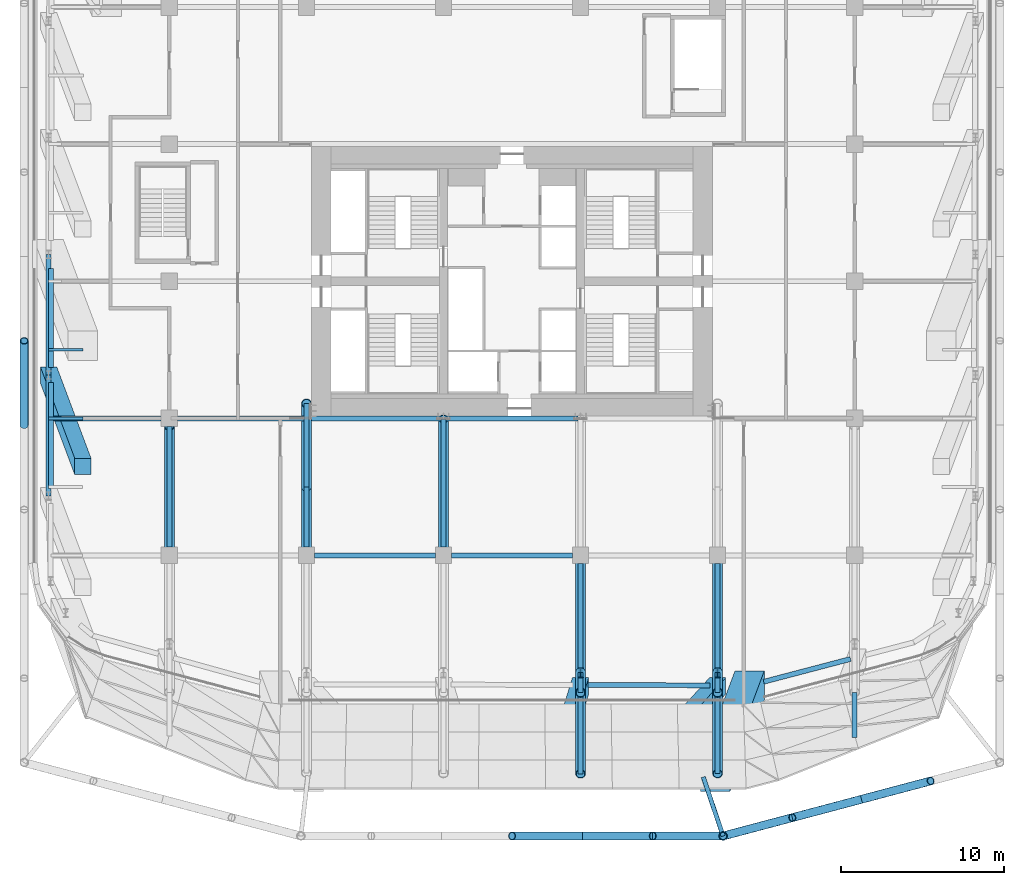
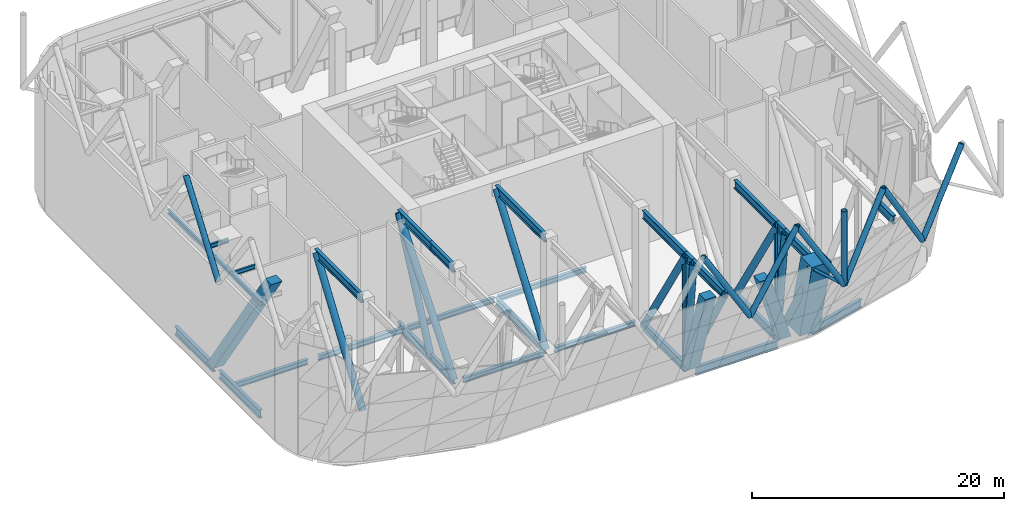
# One storey, part 4 of 19: 40 beams, 15 members.
"""IFC4 building model written with IfcOpenShell, lengths in metres."""

from ifc_helpers import new_model, si_unit, direction, frame, origin, origin_2d, place, context, subcontext, project, spatial, rectangle, hollow_circle, i_section, extrude, material, material_profile, profile_set, type_object, element, save


model = new_model("IFC4")

# Units and contexts
model_context = context("Model", 3, precision=1e-05, world=origin(), true_north=direction((0.0, 1.0)))
body_context = subcontext(model_context, "Body", "Model", "MODEL_VIEW")
ifc_project = project(units=[si_unit("LENGTHUNIT", "METRE"), si_unit("AREAUNIT", "SQUARE_METRE"), si_unit("VOLUMEUNIT", "CUBIC_METRE"), si_unit("PLANEANGLEUNIT", "RADIAN"), si_unit("MASSUNIT", "GRAM", prefix="KILO")], contexts=[model_context])

# Site, building, storey
site_placement = place(None, origin())
site = spatial("IfcSite", under=ifc_project, at=site_placement, CompositionType="ELEMENT")
building_placement = place(site_placement, origin())
building = spatial("IfcBuilding", under=site, at=building_placement, Name="Marenta Gate Hotel Tower", CompositionType="ELEMENT")
storey_placement = place(building_placement, frame((0.0, 0.0, 86.89990234375)))
storey = spatial("IfcBuildingStorey", under=building, at=storey_placement, Name="L20", CompositionType="ELEMENT", Elevation=86.89990234375)

# Members
ifc_material_1 = material(Name="Steel S355J2W", Category="steel")
ifc_material_profile_1 = material_profile(ifc_material_1, hollow_circle(Radius=0.25390625, WallThickness=0.02490234375, at=origin_2d()), Name="CHS 508x25")
ifc_profile_set_1 = profile_set([ifc_material_profile_1], Name="Steel S355J2W")
member_type_1 = type_object("IfcMemberType", Name="Diagrid corner post Z2 CHS 508x25", PredefinedType="POST", material=ifc_profile_set_1)
member_1_placement = place(storey_placement, frame((12.93896484375, -25.60009765625, 10.340087890625), z_axis=(0.0, 0.0, 1.0), x_axis=(1.0, 0.0, 0.0)))
element("IfcMember", 1, at=member_1_placement, inside=storey, type_object=member_type_1, Name="L20-DR-3", PredefinedType="POST", context=body_context, shape_type="SweptSolid", body=[
    extrude(hollow_circle(Radius=0.25390625, WallThickness=0.02490234375, at=origin_2d()), origin(), (0.0, 0.0, 1.0), 7.199951171875),
])
ifc_material_2 = material(Name="Steel S355J2W", Category="steel")
ifc_material_profile_2 = material_profile(ifc_material_2, hollow_circle(Radius=0.25390625, WallThickness=0.0400390625, at=origin_2d()), Name="CHS 508x40")
ifc_profile_set_2 = profile_set([ifc_material_profile_2], Name="Steel S355J2W")
member_type_2 = type_object("IfcMemberType", Name="Diagrid diagonal Z2 CHS 508x40", PredefinedType="BRACE", material=ifc_profile_set_2)
member_2_placement = place(storey_placement, frame((21.41943359375, -23.35009765625, 10.340087890625), z_axis=(0.502945650976, 0.133431605717, 0.853956485285), x_axis=(-0.256429393985, 0.966562965306, 0.0)))
element("IfcMember", 2, at=member_2_placement, inside=storey, type_object=member_type_2, Name="L20-DG-12", PredefinedType="BRACE", context=body_context, shape_type="SweptSolid", body=[
    extrude(hollow_circle(Radius=0.25390625, WallThickness=0.0400390625, at=origin_2d()), origin(), (0.0, 0.0, 1.0), 8.431396484375),
])
for number, where, z_axis, x_axis, name in (
    (3, (21.41943359375, -23.35009765625, 10.340087890625), (-0.502924018666, -0.133433548941, 0.853968921838), (0.256443187528, -0.96655930577, 0.0), "L20-DG-13"),
    (4, (12.93896484375, -25.60009765625, 10.340087890625), (0.502924018666, 0.133433548941, 0.853968921838), (-0.256443187528, 0.96655930577, 0.0), "L20-DG-14"),
):
    element("IfcMember", number, at=place(storey_placement, frame(where, z_axis=z_axis, x_axis=x_axis)), inside=storey, type_object=member_type_2, Name=name, PredefinedType="BRACE", context=body_context, shape_type="SweptSolid", body=[
        extrude(hollow_circle(Radius=0.25390625, WallThickness=0.0400390625, at=origin_2d()), origin(), (0.0, 0.0, 1.0), 8.43115234375),
    ])
for number, where, z_axis, x_axis, name in (
    (5, (12.93896484375, -25.60009765625, 10.340087890625), (-0.513883902774, 0.0, 0.857859740558), (0.0, -1.0, 0.0), "L20-DG-15"),
    (6, (4.31298828125, -25.60009765625, 10.340087890625), (0.513883902774, 0.0, 0.857859740558), (0.0, 1.0, 0.0), "L20-DG-16"),
    (7, (4.31298828125, -25.60009765625, 10.340087890625), (-0.513883902774, 0.0, 0.857859740558), (0.0, -1.0, 0.0), "L20-DG-17"),
):
    element("IfcMember", number, at=place(storey_placement, frame(where, z_axis=z_axis, x_axis=x_axis)), inside=storey, type_object=member_type_2, Name=name, PredefinedType="BRACE", context=body_context, shape_type="SweptSolid", body=[
        extrude(hollow_circle(Radius=0.25390625, WallThickness=0.0400390625, at=origin_2d()), origin(), (0.0, 0.0, 1.0), 8.392822265625),
    ])
member_3_placement = place(storey_placement, frame((-29.89990234375, -0.420166015625, 10.340087890625), z_axis=(0.0, 0.583279014058, 0.812271870595), x_axis=(-1.0, 0.0, 0.0)))
element("IfcMember", 8, at=member_3_placement, inside=storey, type_object=member_type_2, Name="L20-DG-29", PredefinedType="BRACE", context=body_context, shape_type="SweptSolid", body=[
    extrude(hollow_circle(Radius=0.25390625, WallThickness=0.0400390625, at=origin_2d()), origin(), (0.0, 0.0, 1.0), 8.864013671875),
])

# Beams
ifc_material_3 = material(Name="Steel S355", Category="steel")
ifc_material_profile_3 = material_profile(ifc_material_3, i_section(OverallWidth=0.302978515625, OverallDepth=0.81396484375, WebThickness=0.030029296875, FlangeThickness=0.052001953125, FilletRadius=0.030029296875, at=origin_2d()), Name="HEM 800")
ifc_profile_set_3 = profile_set([ifc_material_profile_3], Name="Steel S355")
beam_type_1 = type_object("IfcBeamType", Name="Edge beam HEM 800", PredefinedType="SPANDREL", material=ifc_profile_set_3)
beam_1_placement = place(storey_placement, frame((-28.267333984375, -4.2919921875, -0.706787109375), z_axis=(0.001393753119, 0.999999028726, 0.0), x_axis=(-0.999999028726, 0.001393753119, 0.0)))
element("IfcBeam", 9, at=beam_1_placement, inside=storey, type_object=beam_type_1, Name="L20-EB-6", PredefinedType="SPANDREL", context=body_context, shape_type="SweptSolid", body=[
    extrude(i_section(OverallWidth=0.302978515625, OverallDepth=0.81396484375, WebThickness=0.030029296875, FlangeThickness=0.052001953125, FilletRadius=0.030029296875, at=origin_2d()), origin(), (0.0, 0.0, 1.0), 6.481201171875),
])
beam_2_placement = place(storey_placement, frame((-28.257080078125, 3.109130859375, -0.706787109375), z_axis=(0.001405226059, 0.999999012669, 0.0), x_axis=(-0.999999012669, 0.001405226059, 0.0)))
element("IfcBeam", 10, at=beam_2_placement, inside=storey, type_object=beam_type_1, Name="L20-EB-7", PredefinedType="SPANDREL", context=body_context, shape_type="SweptSolid", body=[
    extrude(i_section(OverallWidth=0.302978515625, OverallDepth=0.81396484375, WebThickness=0.030029296875, FlangeThickness=0.052001953125, FilletRadius=0.030029296875, at=origin_2d()), origin(), (0.0, 0.0, 1.0), 6.080810546875),
])
beam_3_placement = place(storey_placement, frame((20.74560546875, -14.75048828125, -0.706787109375), z_axis=(-0.967231374294, -0.253896570638, 0.0), x_axis=(0.253896570638, -0.967231374294, 0.0)))
element("IfcBeam", 11, at=beam_3_placement, inside=storey, type_object=beam_type_1, Name="L20-EB-31", PredefinedType="SPANDREL", context=body_context, shape_type="SweptSolid", body=[
    extrude(i_section(OverallWidth=0.302978515625, OverallDepth=0.81396484375, WebThickness=0.030029296875, FlangeThickness=0.052001953125, FilletRadius=0.030029296875, at=origin_2d()), origin(), (0.0, 0.0, 1.0), 5.498291015625),
])
beam_4_placement = place(storey_placement, frame((12.139892578125, -16.365966796875, -0.706787109375), z_axis=(-0.99999624158, 0.002741683018, 0.0), x_axis=(-0.002741683018, -0.99999624158, 0.0)))
element("IfcBeam", 12, at=beam_4_placement, inside=storey, type_object=beam_type_1, Name="L20-EB-32", PredefinedType="SPANDREL", context=body_context, shape_type="SweptSolid", body=[
    extrude(i_section(OverallWidth=0.302978515625, OverallDepth=0.81396484375, WebThickness=0.030029296875, FlangeThickness=0.052001953125, FilletRadius=0.030029296875, at=origin_2d()), origin(), (0.0, 0.0, 1.0), 7.47998046875),
])

# Members
ifc_material_4 = material(Name="Concrete C80", Category="concrete")
ifc_material_profile_4 = material_profile(ifc_material_4, rectangle(XDim=1.0, YDim=1.0, at=origin_2d()), Name="1000 x 1000")
ifc_profile_set_4 = profile_set([ifc_material_profile_4], Name="Concrete C80")
member_type_3 = type_object("IfcMemberType", Name="Edge column raked 1000 x 1000 C80", PredefinedType="STRUT", material=ifc_profile_set_4)
member_4_placement = place(storey_placement, frame((-28.39990234375, 2.649169921875, 0.0), z_axis=(0.0, 0.0, 1.0), x_axis=(1.0, 0.0, 0.0)))
element("IfcMember", 13, at=member_4_placement, inside=storey, type_object=member_type_3, Name="L20-EC-SW-W-2", PredefinedType="STRUT", context=body_context, shape_type="SweptSolid", body=[
    extrude(rectangle(XDim=1.0, YDim=1.0, at=origin_2d()), origin(), (0.170090510133, -0.453614245022, 0.874816172162), 12.345458984375),
])
member_5_placement = place(storey_placement, frame((12.60009765625, -16.39990234375, 0.0), z_axis=(0.0, 0.0, 1.0), x_axis=(1.0, 0.0, 0.0)))
element("IfcMember", 14, at=member_5_placement, inside=storey, type_object=member_type_3, Name="L20-EC-SKE-SKW-1", PredefinedType="STRUT", context=body_context, shape_type="SweptSolid", body=[
    extrude(rectangle(XDim=1.0, YDim=1.0, at=origin_2d()), origin(), (-0.387912435932, -0.424276914715, 0.818237765988), 13.19921875),
])
member_6_placement = place(storey_placement, frame((4.199951171875, -16.39990234375, 0.0), z_axis=(0.0, 0.0, 1.0), x_axis=(1.0, 0.0, 0.0)))
element("IfcMember", 15, at=member_6_placement, inside=storey, type_object=member_type_3, Name="L20-EC-SKE-SKW-2", PredefinedType="STRUT", context=body_context, shape_type="SweptSolid", body=[
    extrude(rectangle(XDim=1.0, YDim=1.0, at=origin_2d()), origin(), (-0.138915860458, -0.45585865625, 0.879144623617), 12.28466796875),
])
ifc_material_5 = material(Name="Steel S355J2W", Category="steel")
ifc_material_profile_5 = material_profile(ifc_material_5, hollow_circle(Radius=0.136474609375, WallThickness=0.012451171875, at=origin_2d()), Name="CHS 273x12.5")
ifc_profile_set_5 = profile_set([ifc_material_profile_5], Name="Steel S355J2W")
member_type_4 = type_object("IfcMemberType", Name="Floor tie CHS 273x12.5", PredefinedType="STRUT", material=ifc_profile_set_5)
member_7_placement = place(storey_placement, frame((12.93896484375, -25.60009765625, 10.340087890625), z_axis=(-0.319489913878, 0.947589676458, 0.0), x_axis=(-0.947589676458, -0.319489913878, 0.0)))
element("IfcMember", 16, at=member_7_placement, inside=storey, type_object=member_type_4, Name="L20-DR-9", PredefinedType="STRUT", context=body_context, shape_type="SweptSolid", body=[
    extrude(hollow_circle(Radius=0.136474609375, WallThickness=0.012451171875, at=origin_2d()), origin(), (0.0, 0.0, 1.0), 3.814697265625),
])

# Beams
ifc_material_6 = material(Name="Steel S355", Category="steel")
ifc_material_profile_6 = material_profile(ifc_material_6, i_section(OverallWidth=0.300048828125, OverallDepth=0.5, WebThickness=0.014404296875, FlangeThickness=0.028076171875, FilletRadius=0.027099609375, at=origin_2d()), Name="HEB 500")
ifc_profile_set_6 = profile_set([ifc_material_profile_6], Name="Steel S355")
beam_type_2 = type_object("IfcBeamType", Name="Girder HEB 500", PredefinedType="BEAM", material=ifc_profile_set_6)
beam_5_placement = place(storey_placement, frame((-12.10009765625, -8.39990234375, -0.5498046875), z_axis=(1.0, 0.0, 0.0), x_axis=(0.0, 1.0, 0.0)))
element("IfcBeam", 17, at=beam_5_placement, inside=storey, type_object=beam_type_2, Name="L20-GD-3", PredefinedType="BEAM", context=body_context, shape_type="SweptSolid", body=[
    extrude(i_section(OverallWidth=0.300048828125, OverallDepth=0.5, WebThickness=0.014404296875, FlangeThickness=0.028076171875, FilletRadius=0.027099609375, at=origin_2d()), origin(), (0.0, 0.0, 1.0), 7.400146484375),
])
beam_6_placement = place(storey_placement, frame((-3.699951171875, -8.39990234375, -0.5498046875), z_axis=(1.0, 0.0, 0.0), x_axis=(0.0, 1.0, 0.0)))
element("IfcBeam", 18, at=beam_6_placement, inside=storey, type_object=beam_type_2, Name="L20-GD-4", PredefinedType="BEAM", context=body_context, shape_type="SweptSolid", body=[
    extrude(i_section(OverallWidth=0.300048828125, OverallDepth=0.5, WebThickness=0.014404296875, FlangeThickness=0.028076171875, FilletRadius=0.027099609375, at=origin_2d()), origin(), (0.0, 0.0, 1.0), 7.39990234375),
])
beam_7_placement = place(storey_placement, frame((-28.10986328125, 0.0, -0.5498046875), z_axis=(1.0, 0.0, 0.0), x_axis=(0.0, 1.0, 0.0)))
element("IfcBeam", 19, at=beam_7_placement, inside=storey, type_object=beam_type_2, Name="L20-GD-8", PredefinedType="BEAM", context=body_context, shape_type="SweptSolid", body=[
    extrude(i_section(OverallWidth=0.300048828125, OverallDepth=0.5, WebThickness=0.014404296875, FlangeThickness=0.028076171875, FilletRadius=0.027099609375, at=origin_2d()), origin(), (0.0, 0.0, 1.0), 6.60986328125),
])
beam_8_placement = place(storey_placement, frame((-20.5, 0.0, -0.5498046875), z_axis=(1.0, 0.0, 0.0), x_axis=(0.0, 1.0, 0.0)))
element("IfcBeam", 20, at=beam_8_placement, inside=storey, type_object=beam_type_2, Name="L20-GD-9", PredefinedType="BEAM", context=body_context, shape_type="SweptSolid", body=[
    extrude(i_section(OverallWidth=0.300048828125, OverallDepth=0.5, WebThickness=0.014404296875, FlangeThickness=0.028076171875, FilletRadius=0.027099609375, at=origin_2d()), origin(), (0.0, 0.0, 1.0), 7.74853515625),
])
beam_9_placement = place(storey_placement, frame((-12.300048828125, 0.0, -0.5498046875), z_axis=(1.0, 0.0, 0.0), x_axis=(0.0, 1.0, 0.0)))
element("IfcBeam", 21, at=beam_9_placement, inside=storey, type_object=beam_type_2, Name="L20-GD-10", PredefinedType="BEAM", context=body_context, shape_type="SweptSolid", body=[
    extrude(i_section(OverallWidth=0.300048828125, OverallDepth=0.5, WebThickness=0.014404296875, FlangeThickness=0.028076171875, FilletRadius=0.027099609375, at=origin_2d()), origin(), (0.0, 0.0, 1.0), 7.948486328125),
])
beam_10_placement = place(storey_placement, frame((-4.048583984375, 0.0, -0.5498046875), z_axis=(1.0, 0.0, 0.0), x_axis=(0.0, 1.0, 0.0)))
element("IfcBeam", 22, at=beam_10_placement, inside=storey, type_object=beam_type_2, Name="L20-GD-11", PredefinedType="BEAM", context=body_context, shape_type="SweptSolid", body=[
    extrude(i_section(OverallWidth=0.300048828125, OverallDepth=0.5, WebThickness=0.014404296875, FlangeThickness=0.028076171875, FilletRadius=0.027099609375, at=origin_2d()), origin(), (0.0, 0.0, 1.0), 8.09716796875),
])

# Member
ifc_material_7 = material(Name="Concrete C80", Category="concrete")
ifc_material_profile_7 = material_profile(ifc_material_7, rectangle(XDim=1.800048828125, YDim=1.800048828125, at=origin_2d()), Name="1800 x 1800")
ifc_profile_set_7 = profile_set([ifc_material_profile_7], Name="Concrete C80")
member_type_5 = type_object("IfcMemberType", Name="Mega column raked 1800 x 1800 C80", PredefinedType="STRUT", material=ifc_profile_set_7)
member_8_placement = place(storey_placement, frame((14.56640625, -16.374755859375, 0.0), z_axis=(0.0, 0.0, 1.0), x_axis=(1.0, 0.0, 0.0)))
element("IfcMember", 23, at=member_8_placement, inside=storey, type_object=member_type_5, Name="L20-MC-SKE", PredefinedType="STRUT", context=body_context, shape_type="SweptSolid", body=[
    extrude(rectangle(XDim=1.800048828125, YDim=1.800048828125, at=origin_2d()), origin(), (-0.170109713578, -0.45361271914, 0.874813229427), 12.345458984375),
])

# Beams
ifc_material_8 = material(Name="Steel S355", Category="steel")
ifc_material_profile_8 = material_profile(ifc_material_8, i_section(OverallWidth=0.302978515625, OverallDepth=0.81396484375, WebThickness=0.030029296875, FlangeThickness=0.052001953125, FilletRadius=0.030029296875, at=origin_2d()), Name="HEM 800")
ifc_profile_set_8 = profile_set([ifc_material_profile_8], Name="Steel S355")
beam_type_3 = type_object("IfcBeamType", Name="Outrigger truss chord HEM 800", PredefinedType="BEAM", material=ifc_profile_set_8)
beam_11_placement = place(storey_placement, frame((-21.0, -0.5, 10.133056640625), z_axis=(0.0, -1.0, 0.0), x_axis=(1.0, 0.0, 0.0)))
element("IfcBeam", 24, at=beam_11_placement, inside=storey, type_object=beam_type_3, Name="TC-HEM800 Outrigger truss T1-4 chord", PredefinedType="BEAM", context=body_context, shape_type="SweptSolid", body=[
    extrude(i_section(OverallWidth=0.302978515625, OverallDepth=0.81396484375, WebThickness=0.030029296875, FlangeThickness=0.052001953125, FilletRadius=0.030029296875, at=origin_2d()), origin(), (0.0, 0.0, 1.0), 7.39990234375),
])
beam_12_placement = place(storey_placement, frame((-12.60009765625, 0.89990234375, -0.706787109375), z_axis=(0.0, -1.0, 0.0), x_axis=(1.0, 0.0, 0.0)))
element("IfcBeam", 25, at=beam_12_placement, inside=storey, type_object=beam_type_3, Name="TC-HEM800 Outrigger truss T1-5 chord", PredefinedType="BEAM", context=body_context, shape_type="SweptSolid", body=[
    extrude(i_section(OverallWidth=0.302978515625, OverallDepth=0.81396484375, WebThickness=0.030029296875, FlangeThickness=0.052001953125, FilletRadius=0.030029296875, at=origin_2d()), origin(), (0.0, 0.0, 1.0), 5.099853515625),
])
beam_13_placement = place(storey_placement, frame((-12.60009765625, -4.199951171875, -0.706787109375), z_axis=(0.0, -1.0, 0.0), x_axis=(1.0, 0.0, 0.0)))
element("IfcBeam", 26, at=beam_13_placement, inside=storey, type_object=beam_type_3, Name="TC-HEM800 Outrigger truss T1-5 chord", PredefinedType="BEAM", context=body_context, shape_type="SweptSolid", body=[
    extrude(i_section(OverallWidth=0.302978515625, OverallDepth=0.81396484375, WebThickness=0.030029296875, FlangeThickness=0.052001953125, FilletRadius=0.030029296875, at=origin_2d()), origin(), (0.0, 0.0, 1.0), 3.699951171875),
])
beam_14_placement = place(storey_placement, frame((-12.60009765625, 0.89990234375, 10.133056640625), z_axis=(0.0, -1.0, 0.0), x_axis=(1.0, 0.0, 0.0)))
element("IfcBeam", 27, at=beam_14_placement, inside=storey, type_object=beam_type_3, Name="TC-HEM800 Outrigger truss T1-5 chord", PredefinedType="BEAM", context=body_context, shape_type="SweptSolid", body=[
    extrude(i_section(OverallWidth=0.302978515625, OverallDepth=0.81396484375, WebThickness=0.030029296875, FlangeThickness=0.052001953125, FilletRadius=0.030029296875, at=origin_2d()), origin(), (0.0, 0.0, 1.0), 5.099853515625),
])
beam_15_placement = place(storey_placement, frame((-12.60009765625, -4.199951171875, 10.133056640625), z_axis=(0.0, -1.0, 0.0), x_axis=(1.0, 0.0, 0.0)))
element("IfcBeam", 28, at=beam_15_placement, inside=storey, type_object=beam_type_3, Name="TC-HEM800 Outrigger truss T1-5 chord", PredefinedType="BEAM", context=body_context, shape_type="SweptSolid", body=[
    extrude(i_section(OverallWidth=0.302978515625, OverallDepth=0.81396484375, WebThickness=0.030029296875, FlangeThickness=0.052001953125, FilletRadius=0.030029296875, at=origin_2d()), origin(), (0.0, 0.0, 1.0), 3.699951171875),
])
for number, where, z_axis, x_axis, name in (
    (29, (-4.199951171875, -0.050048828125, -0.706787109375), (0.0, -1.0, 0.0), (1.0, 0.0, 0.0), "TC-HEM800 Outrigger truss T1-6 chord"),
    (30, (-4.199951171875, -0.050048828125, 10.133056640625), (0.0, -1.0, 0.0), (1.0, 0.0, 0.0), "TC-HEM800 Outrigger truss T1-6 chord"),
):
    element("IfcBeam", number, at=place(storey_placement, frame(where, z_axis=z_axis, x_axis=x_axis)), inside=storey, type_object=beam_type_3, Name=name, PredefinedType="BEAM", context=body_context, shape_type="SweptSolid", body=[
        extrude(i_section(OverallWidth=0.302978515625, OverallDepth=0.81396484375, WebThickness=0.030029296875, FlangeThickness=0.052001953125, FilletRadius=0.030029296875, at=origin_2d()), origin(), (0.0, 0.0, 1.0), 7.849853515625),
    ])
for number, where, z_axis, x_axis, name in (
    (31, (4.199951171875, -8.89990234375, -0.706787109375), (0.0, -1.0, 0.0), (1.0, 0.0, 0.0), "TC-HEM800 Outrigger truss T1-7 chord"),
    (32, (4.199951171875, -8.89990234375, 10.133056640625), (0.0, -1.0, 0.0), (1.0, 0.0, 0.0), "TC-HEM800 Outrigger truss T1-7 chord"),
):
    element("IfcBeam", number, at=place(storey_placement, frame(where, z_axis=z_axis, x_axis=x_axis)), inside=storey, type_object=beam_type_3, Name=name, PredefinedType="BEAM", context=body_context, shape_type="SweptSolid", body=[
        extrude(i_section(OverallWidth=0.302978515625, OverallDepth=0.81396484375, WebThickness=0.030029296875, FlangeThickness=0.052001953125, FilletRadius=0.030029296875, at=origin_2d()), origin(), (0.0, 0.0, 1.0), 6.689697265625),
    ])
beam_16_placement = place(storey_placement, frame((4.199951171875, -15.589599609375, 10.133056640625), z_axis=(0.0, -1.0, 0.0), x_axis=(1.0, 0.0, 0.0)))
element("IfcBeam", 33, at=beam_16_placement, inside=storey, type_object=beam_type_3, Name="TC-HEM800 Outrigger truss T1-7 chord", PredefinedType="BEAM", context=body_context, shape_type="SweptSolid", body=[
    extrude(i_section(OverallWidth=0.302978515625, OverallDepth=0.81396484375, WebThickness=0.030029296875, FlangeThickness=0.052001953125, FilletRadius=0.030029296875, at=origin_2d()), origin(), (0.0, 0.0, 1.0), 1.21044921875),
])
beam_17_placement = place(storey_placement, frame((4.199951171875, -16.800048828125, 10.133056640625), z_axis=(0.0, -1.0, 0.0), x_axis=(1.0, 0.0, 0.0)))
element("IfcBeam", 34, at=beam_17_placement, inside=storey, type_object=beam_type_3, Name="TC-HEM800 Outrigger truss T1-7 chord", PredefinedType="BEAM", context=body_context, shape_type="SweptSolid", body=[
    extrude(i_section(OverallWidth=0.302978515625, OverallDepth=0.81396484375, WebThickness=0.030029296875, FlangeThickness=0.052001953125, FilletRadius=0.030029296875, at=origin_2d()), origin(), (0.0, 0.0, 1.0), 4.99462890625),
])
for number, where, z_axis, x_axis, name in (
    (35, (12.60009765625, -8.89990234375, -0.706787109375), (0.0, -1.0, 0.0), (1.0, 0.0, 0.0), "TC-HEM800 Outrigger truss T1-8 chord"),
    (36, (12.60009765625, -8.89990234375, 10.133056640625), (0.0, -1.0, 0.0), (1.0, 0.0, 0.0), "TC-HEM800 Outrigger truss T1-8 chord"),
):
    element("IfcBeam", number, at=place(storey_placement, frame(where, z_axis=z_axis, x_axis=x_axis)), inside=storey, type_object=beam_type_3, Name=name, PredefinedType="BEAM", context=body_context, shape_type="SweptSolid", body=[
        extrude(i_section(OverallWidth=0.302978515625, OverallDepth=0.81396484375, WebThickness=0.030029296875, FlangeThickness=0.052001953125, FilletRadius=0.030029296875, at=origin_2d()), origin(), (0.0, 0.0, 1.0), 6.689697265625),
    ])
beam_18_placement = place(storey_placement, frame((12.60009765625, -15.589599609375, 10.133056640625), z_axis=(0.0, -1.0, 0.0), x_axis=(1.0, 0.0, 0.0)))
element("IfcBeam", 37, at=beam_18_placement, inside=storey, type_object=beam_type_3, Name="TC-HEM800 Outrigger truss T1-8 chord", PredefinedType="BEAM", context=body_context, shape_type="SweptSolid", body=[
    extrude(i_section(OverallWidth=0.302978515625, OverallDepth=0.81396484375, WebThickness=0.030029296875, FlangeThickness=0.052001953125, FilletRadius=0.030029296875, at=origin_2d()), origin(), (0.0, 0.0, 1.0), 1.21044921875),
])
beam_19_placement = place(storey_placement, frame((12.60009765625, -16.800048828125, 10.133056640625), z_axis=(0.0, -1.0, 0.0), x_axis=(1.0, 0.0, 0.0)))
element("IfcBeam", 38, at=beam_19_placement, inside=storey, type_object=beam_type_3, Name="TC-HEM800 Outrigger truss T1-8 chord", PredefinedType="BEAM", context=body_context, shape_type="SweptSolid", body=[
    extrude(i_section(OverallWidth=0.302978515625, OverallDepth=0.81396484375, WebThickness=0.030029296875, FlangeThickness=0.052001953125, FilletRadius=0.030029296875, at=origin_2d()), origin(), (0.0, 0.0, 1.0), 4.98095703125),
])
beam_20_placement = place(storey_placement, frame((21.0, -16.800048828125, 10.133056640625), z_axis=(0.0, -1.0, 0.0), x_axis=(1.0, 0.0, 0.0)))
element("IfcBeam", 39, at=beam_20_placement, inside=storey, type_object=beam_type_3, Name="TC-HEM800 Outrigger truss T1-9 chord", PredefinedType="BEAM", context=body_context, shape_type="SweptSolid", body=[
    extrude(i_section(OverallWidth=0.302978515625, OverallDepth=0.81396484375, WebThickness=0.030029296875, FlangeThickness=0.052001953125, FilletRadius=0.030029296875, at=origin_2d()), origin(), (0.0, 0.0, 1.0), 2.77587890625),
])
ifc_material_9 = material(Name="Steel S355", Category="steel")
ifc_material_profile_9 = material_profile(ifc_material_9, hollow_circle(Radius=0.304931640625, WallThickness=0.0400390625, at=origin_2d()), Name="CHS 610x40")
ifc_profile_set_9 = profile_set([ifc_material_profile_9], Name="Steel S355")
beam_type_4 = type_object("IfcBeamType", Name="Outrigger truss diagonal CHS 610x40", PredefinedType="BEAM", material=ifc_profile_set_9)
beam_21_placement = place(storey_placement, frame((-21.0, -0.5, 10.133056640625), z_axis=(0.0, -0.563810032927, -0.82590450221), x_axis=(1.0, 0.0, 0.0)))
element("IfcBeam", 40, at=beam_21_placement, inside=storey, type_object=beam_type_4, Name="Outrigger truss T1-4 diagonal", PredefinedType="BEAM", context=body_context, shape_type="SweptSolid", body=[
    extrude(hollow_circle(Radius=0.304931640625, WallThickness=0.0400390625, at=origin_2d()), origin(), (0.0, 0.0, 1.0), 13.124755859375),
])
beam_22_placement = place(storey_placement, frame((-12.60009765625, 0.9189453125, 10.156494140625), z_axis=(0.0, -0.63026675883, -0.776378652923), x_axis=(1.0, 0.0, 0.0)))
element("IfcBeam", 41, at=beam_22_placement, inside=storey, type_object=beam_type_4, Name="Outrigger truss T1-5 diagonal", PredefinedType="BEAM", context=body_context, shape_type="SweptSolid", body=[
    extrude(hollow_circle(Radius=0.304931640625, WallThickness=0.0400390625, at=origin_2d()), origin(), (0.0, 0.0, 1.0), 13.9921875),
])
beam_23_placement = place(storey_placement, frame((-12.60009765625, -4.199951171875, -0.706787109375), z_axis=(0.0, 0.425724588614, 0.904852791701), x_axis=(-1.0, 0.0, 0.0)))
element("IfcBeam", 42, at=beam_23_placement, inside=storey, type_object=beam_type_4, Name="Outrigger truss T1-5 diagonal", PredefinedType="BEAM", context=body_context, shape_type="SweptSolid", body=[
    extrude(hollow_circle(Radius=0.304931640625, WallThickness=0.0400390625, at=origin_2d()), origin(), (0.0, 0.0, 1.0), 12.009521484375),
])
beam_24_placement = place(storey_placement, frame((-4.199951171875, -0.032470703125, 10.157470703125), z_axis=(0.0, -0.586520105057, -0.80993466796), x_axis=(1.0, 0.0, 0.0)))
element("IfcBeam", 43, at=beam_24_placement, inside=storey, type_object=beam_type_4, Name="Outrigger truss T1-6 diagonal", PredefinedType="BEAM", context=body_context, shape_type="SweptSolid", body=[
    extrude(hollow_circle(Radius=0.304931640625, WallThickness=0.0400390625, at=origin_2d()), origin(), (0.0, 0.0, 1.0), 13.413818359375),
])
beam_25_placement = place(storey_placement, frame((4.199951171875, -8.89990234375, -0.706787109375), z_axis=(0.0, -0.525180277078, 0.850990996761), x_axis=(1.0, 0.0, 0.0)))
element("IfcBeam", 44, at=beam_25_placement, inside=storey, type_object=beam_type_4, Name="Outrigger truss T1-7 diagonal", PredefinedType="BEAM", context=body_context, shape_type="SweptSolid", body=[
    extrude(hollow_circle(Radius=0.304931640625, WallThickness=0.0400390625, at=origin_2d()), origin(), (0.0, 0.0, 1.0), 12.73779296875),
])
beam_26_placement = place(storey_placement, frame((4.199951171875, -15.589599609375, -0.706787109375), z_axis=(0.0, -0.110976900111, 0.99382298607), x_axis=(1.0, 0.0, 0.0)))
element("IfcBeam", 45, at=beam_26_placement, inside=storey, type_object=beam_type_4, Name="Outrigger truss T1-7 diagonal", PredefinedType="BEAM", context=body_context, shape_type="SweptSolid", body=[
    extrude(hollow_circle(Radius=0.304931640625, WallThickness=0.0400390625, at=origin_2d()), origin(), (0.0, 0.0, 1.0), 10.9072265625),
])
beam_27_placement = place(storey_placement, frame((4.199951171875, -15.589599609375, -0.706787109375), z_axis=(0.0, -0.496795561085, 0.867867599629), x_axis=(1.0, 0.0, 0.0)))
element("IfcBeam", 46, at=beam_27_placement, inside=storey, type_object=beam_type_4, Name="Outrigger truss T1-7 diagonal", PredefinedType="BEAM", context=body_context, shape_type="SweptSolid", body=[
    extrude(hollow_circle(Radius=0.304931640625, WallThickness=0.0400390625, at=origin_2d()), origin(), (0.0, 0.0, 1.0), 12.490234375),
])
beam_28_placement = place(storey_placement, frame((12.60009765625, -8.89990234375, -0.706787109375), z_axis=(0.0, -0.525180277078, 0.850990996761), x_axis=(1.0, 0.0, 0.0)))
element("IfcBeam", 47, at=beam_28_placement, inside=storey, type_object=beam_type_4, Name="Outrigger truss T1-8 diagonal", PredefinedType="BEAM", context=body_context, shape_type="SweptSolid", body=[
    extrude(hollow_circle(Radius=0.304931640625, WallThickness=0.0400390625, at=origin_2d()), origin(), (0.0, 0.0, 1.0), 12.73779296875),
])
beam_29_placement = place(storey_placement, frame((12.60009765625, -15.589599609375, -0.706787109375), z_axis=(0.0, -0.110976900111, 0.99382298607), x_axis=(1.0, 0.0, 0.0)))
element("IfcBeam", 48, at=beam_29_placement, inside=storey, type_object=beam_type_4, Name="Outrigger truss T1-8 diagonal", PredefinedType="BEAM", context=body_context, shape_type="SweptSolid", body=[
    extrude(hollow_circle(Radius=0.304931640625, WallThickness=0.0400390625, at=origin_2d()), origin(), (0.0, 0.0, 1.0), 10.9072265625),
])
beam_30_placement = place(storey_placement, frame((12.60009765625, -15.589599609375, -0.706787109375), z_axis=(0.0, -0.495970436267, 0.868339407345), x_axis=(1.0, 0.0, 0.0)))
element("IfcBeam", 49, at=beam_30_placement, inside=storey, type_object=beam_type_4, Name="Outrigger truss T1-8 diagonal", PredefinedType="BEAM", context=body_context, shape_type="SweptSolid", body=[
    extrude(hollow_circle(Radius=0.304931640625, WallThickness=0.0400390625, at=origin_2d()), origin(), (0.0, 0.0, 1.0), 12.4833984375),
])

# Members
ifc_material_10 = material(Name="Steel S355", Category="steel")
ifc_material_profile_10 = material_profile(ifc_material_10, i_section(OverallWidth=0.304931640625, OverallDepth=0.6201171875, WebThickness=0.02490234375, FlangeThickness=0.0439453125, FilletRadius=0.027099609375, at=origin_2d()), Name="HEM 600")
ifc_profile_set_10 = profile_set([ifc_material_profile_10], Name="Steel S355")
member_type_6 = type_object("IfcMemberType", Name="Outrigger truss post HEM 600", PredefinedType="POST", material=ifc_profile_set_10)
for number, where, z_axis, x_axis, name in (
    (50, (4.199951171875, -15.589599609375, -0.706787109375), (0.0, 0.0, 1.0), (1.0, 0.0, 0.0), "TR-HEM600 Outrigger truss T1-7 post"),
    (51, (12.60009765625, -15.589599609375, -0.706787109375), (0.0, 0.0, 1.0), (1.0, 0.0, 0.0), "TR-HEM600 Outrigger truss T1-8 post"),
):
    element("IfcMember", number, at=place(storey_placement, frame(where, z_axis=z_axis, x_axis=x_axis)), inside=storey, type_object=member_type_6, Name=name, PredefinedType="POST", context=body_context, shape_type="SweptSolid", body=[
        extrude(i_section(OverallWidth=0.304931640625, OverallDepth=0.6201171875, WebThickness=0.02490234375, FlangeThickness=0.0439453125, FilletRadius=0.027099609375, at=origin_2d()), origin(), (0.0, 0.0, 1.0), 10.83984375),
    ])

# Beams
ifc_material_11 = material(Name="Steel S355", Category="steel")
ifc_material_profile_11 = material_profile(ifc_material_11, i_section(OverallWidth=0.179931640625, OverallDepth=0.39990234375, WebThickness=0.008544921875, FlangeThickness=0.013427734375, FilletRadius=0.02099609375, at=origin_2d()), Name="IPE 400")
ifc_profile_set_11 = profile_set([ifc_material_profile_11], Name="Steel S355")
beam_type_5 = type_object("IfcBeamType", Name="Terrace beam IPE 400", PredefinedType="JOIST", material=ifc_profile_set_11)
beam_31_placement = place(storey_placement, frame((-28.39990234375, 0.0, 10.340087890625), z_axis=(1.0, 0.0, 0.0), x_axis=(0.0, 1.0, 0.0)))
element("IfcBeam", 52, at=beam_31_placement, inside=storey, type_object=beam_type_5, Name="L20-TB-25", PredefinedType="JOIST", context=body_context, shape_type="SweptSolid", body=[
    extrude(i_section(OverallWidth=0.179931640625, OverallDepth=0.39990234375, WebThickness=0.008544921875, FlangeThickness=0.013427734375, FilletRadius=0.02099609375, at=origin_2d()), origin(), (0.0, 0.0, 1.0), 2.09521484375),
])
beam_32_placement = place(storey_placement, frame((-28.39990234375, 4.199951171875, 10.340087890625), z_axis=(1.0, 0.0, 0.0), x_axis=(0.0, 1.0, 0.0)))
element("IfcBeam", 53, at=beam_32_placement, inside=storey, type_object=beam_type_5, Name="L20-TB-26", PredefinedType="JOIST", context=body_context, shape_type="SweptSolid", body=[
    extrude(i_section(OverallWidth=0.179931640625, OverallDepth=0.39990234375, WebThickness=0.008544921875, FlangeThickness=0.013427734375, FilletRadius=0.02099609375, at=origin_2d()), origin(), (0.0, 0.0, 1.0), 2.10107421875),
])
ifc_material_12 = material(Name="Steel S355", Category="steel")
ifc_material_profile_12 = material_profile(ifc_material_12, i_section(OverallWidth=0.300048828125, OverallDepth=0.39990234375, WebThickness=0.013427734375, FlangeThickness=0.02392578125, FilletRadius=0.027099609375, at=origin_2d()), Name="HEB 400")
ifc_profile_set_12 = profile_set([ifc_material_profile_12], Name="Steel S355")
beam_type_6 = type_object("IfcBeamType", Name="Terrace edge beam HEB 400", PredefinedType="SPANDREL", material=ifc_profile_set_12)
beam_33_placement = place(storey_placement, frame((-28.39990234375, -4.751953125, 10.340087890625), z_axis=(0.0, 1.0, 0.0), x_axis=(-1.0, 0.0, 0.0)))
element("IfcBeam", 54, at=beam_33_placement, inside=storey, type_object=beam_type_6, Name="L20-TE-3", PredefinedType="SPANDREL", context=body_context, shape_type="SweptSolid", body=[
    extrude(i_section(OverallWidth=0.300048828125, OverallDepth=0.39990234375, WebThickness=0.013427734375, FlangeThickness=0.02392578125, FilletRadius=0.027099609375, at=origin_2d()), origin(), (0.0, 0.0, 1.0), 7.401123046875),
])
beam_34_placement = place(storey_placement, frame((-28.39990234375, 2.649169921875, 10.340087890625), z_axis=(0.0, 1.0, 0.0), x_axis=(-1.0, 0.0, 0.0)))
element("IfcBeam", 55, at=beam_34_placement, inside=storey, type_object=beam_type_6, Name="L20-TE-4", PredefinedType="SPANDREL", context=body_context, shape_type="SweptSolid", body=[
    extrude(i_section(OverallWidth=0.300048828125, OverallDepth=0.39990234375, WebThickness=0.013427734375, FlangeThickness=0.02392578125, FilletRadius=0.027099609375, at=origin_2d()), origin(), (0.0, 0.0, 1.0), 7.40087890625),
])

save(model, "model.ifc")
